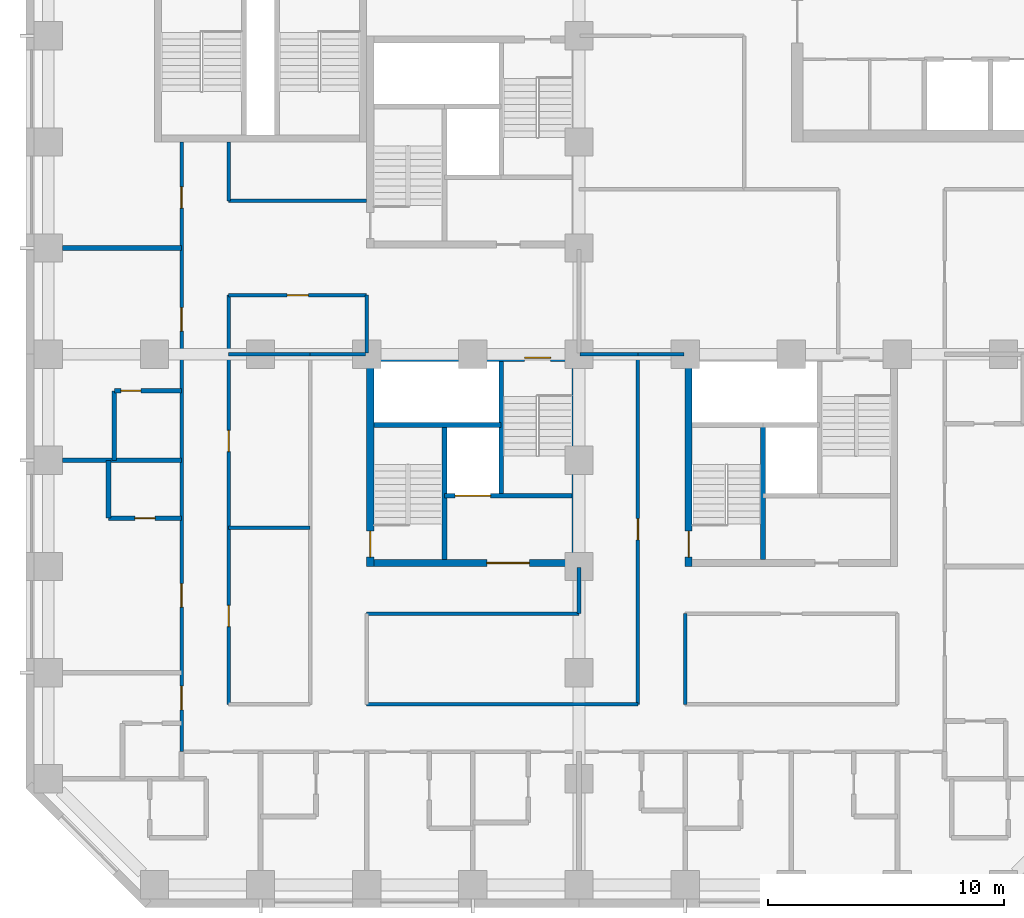
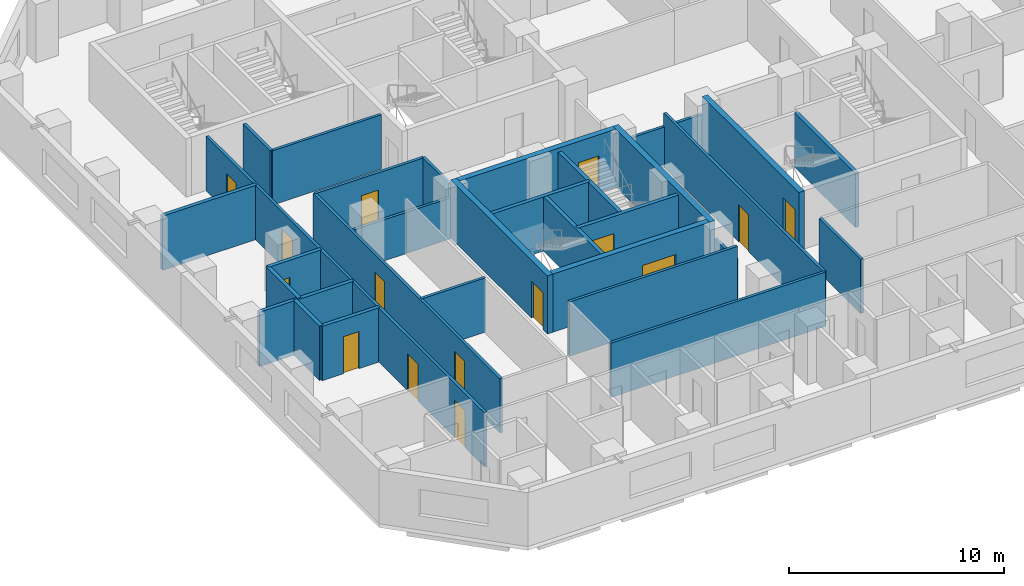
# One storey, part 4 of 13: 32 walls, 15 doors, 15 openings.
"""IFC4 building model written with IfcOpenShell, lengths in metres."""

from ifc_helpers import new_model, si_unit, direction, frame, frame_2d, origin, place, context, subcontext, project, spatial, rectangle, extrude, material, layer, layer_set, type_object, element, fill, save


model = new_model("IFC4")

# Units and contexts
model_context = context("Model", 3, precision=1e-05, world=origin(), true_north=direction((0.0, 1.0)))
body_context = subcontext(model_context, "Body", "Model", "MODEL_VIEW")
ifc_project = project(units=[si_unit("LENGTHUNIT", "METRE"), si_unit("AREAUNIT", "SQUARE_METRE"), si_unit("VOLUMEUNIT", "CUBIC_METRE"), si_unit("PLANEANGLEUNIT", "RADIAN"), si_unit("MASSUNIT", "GRAM", prefix="KILO")], contexts=[model_context])

# Site, building, storey
site_placement = place(None, origin())
site = spatial("IfcSite", under=ifc_project, at=site_placement, CompositionType="ELEMENT")
building_placement = place(site_placement, origin())
building = spatial("IfcBuilding", under=site, at=building_placement, Name="Quoin Convention Tower", CompositionType="ELEMENT")
storey_placement = place(building_placement, frame((0.0, 0.0, 49.5)))
storey = spatial("IfcBuildingStorey", under=building, at=storey_placement, Name="L12", CompositionType="ELEMENT", Elevation=49.5)

# Wall
ifc_material_1 = material(Name="Concrete C50", Category="concrete")
ifc_layer_1 = layer(ifc_material_1, 0.199951171875)
ifc_layer_set_1 = layer_set([ifc_layer_1], Name="Concrete C50")
wall_type_1 = type_object("IfcWallType", Name="Core shaft wall", PredefinedType="SOLIDWALL", material=ifc_layer_set_1)
wall_1_placement = place(storey_placement, frame((43.800048828125, 31.800048828125, 0.0), z_axis=(0.0, 0.0, 1.0), x_axis=(0.0, 1.0, 0.0)))
element("IfcWall", 1, at=wall_1_placement, inside=storey, type_object=wall_type_1, Name="cr-P3-L12-v3300_300", PredefinedType="SOLIDWALL", context=body_context, shape_type="SweptSolid", body=[
    extrude(rectangle(XDim=5.699951171875, YDim=0.199951171875, at=frame_2d((2.85009765625, 0.0))), origin(), (0.0, 0.0, 1.0), 3.080078125),
])

# Wall, opening, door
wall_2_placement = place(storey_placement, frame((30.300048828125, 34.5, 0.0), z_axis=(0.0, 0.0, 1.0), x_axis=(1.0, 0.0, 0.0)))
wall_2 = element("IfcWall", 2, at=wall_2_placement, inside=storey, type_object=wall_type_1, Name="cr-P4-L12-h3000_3300", PredefinedType="SOLIDWALL", context=body_context, shape_type="SweptSolid", body=[
    extrude(rectangle(XDim=5.39990234375, YDim=0.199951171875, at=frame_2d((2.699951171875, 0.0))), origin(), (0.0, 0.0, 1.0), 3.080078125),
])
opening_1_placement = place(wall_2_placement, frame((0.449951171875, 0.0, 0.0)))
opening_1 = element("IfcOpeningElement", 3, at=opening_1_placement, cuts=wall_2, Name="Opening LDGL1", PredefinedType="OPENING", context=body_context, shape_type="SweptSolid", body=[
    extrude(rectangle(XDim=1.5, YDim=2.10009765625, at=frame_2d((0.75, 1.050048828125))), frame((0.0, 0.10986328125, 0.0), z_axis=(0.0, -1.0, 0.0), x_axis=(1.0, 0.0, 0.0)), (0.0, 0.0, 1.0), 0.219970703125),
])
ifc_material_2 = material(Name="Steel door leaf", Category="steel")
door_type_1 = type_object("IfcDoorType", Name="Lift landing door 1500 x 2100", OperationType="DOUBLE_DOOR_SLIDING", PredefinedType="DOOR", material=ifc_material_2)
door_1_placement = place(opening_1_placement, origin())
door_1 = element("IfcDoor", 4, at=door_1_placement, inside=storey, type_object=door_type_1, Name="cd-P4-L12-CEN-R2-LDGL1", OperationType="DOUBLE_DOOR_SLIDING", OverallHeight=2.10009765625, OverallWidth=1.5, PredefinedType="DOOR", context=body_context, shape_type="SweptSolid", body=[
    extrude(rectangle(XDim=1.5, YDim=2.10009765625, at=frame_2d((0.75, 1.050048828125))), frame((0.0, 0.02490234375, 0.0), z_axis=(0.0, -1.0, 0.0), x_axis=(1.0, 0.0, 0.0)), (0.0, 0.0, 1.0), 0.050048828125),
])
fill(opening_1, door_1)

# Walls
wall_3_placement = place(storey_placement, frame((27.300048828125, 37.5, 0.0), z_axis=(0.0, 0.0, 1.0), x_axis=(1.0, 0.0, 0.0)))
element("IfcWall", 5, at=wall_3_placement, inside=storey, type_object=wall_type_1, Name="cr-P4-L12-h6000_300", PredefinedType="SOLIDWALL", context=body_context, shape_type="SweptSolid", body=[
    extrude(rectangle(XDim=5.39990234375, YDim=0.199951171875, at=frame_2d((2.699951171875, 0.0))), origin(), (0.0, 0.0, 1.0), 3.080078125),
])
for number, where, z_axis, x_axis, name in (
    (6, (30.300048828125, 31.800048828125, 0.0), (0.0, 0.0, 1.0), (0.0, 1.0, 0.0), "cr-P4-L12-v3300_300"),
    (7, (32.699951171875, 34.5, 0.0), (0.0, 0.0, 1.0), (0.0, 1.0, 0.0), "cr-P4-L12-v5700_3000"),
):
    element("IfcWall", number, at=place(storey_placement, frame(where, z_axis=z_axis, x_axis=x_axis)), inside=storey, type_object=wall_type_1, Name=name, PredefinedType="SOLIDWALL", context=body_context, shape_type="SweptSolid", body=[
        extrude(rectangle(XDim=5.699951171875, YDim=0.199951171875, at=frame_2d((2.85009765625, 0.0))), origin(), (0.0, 0.0, 1.0), 3.080078125),
    ])

# Wall, opening, door
ifc_material_3 = material(Name="Concrete C80", Category="concrete")
ifc_layer_2 = layer(ifc_material_3, 0.300048828125)
ifc_layer_set_2 = layer_set([ifc_layer_2], Name="Concrete C80")
wall_type_2 = type_object("IfcWallType", Name="RC CORE WALL 300 C80", PredefinedType="SHEAR", material=ifc_layer_set_2)
wall_4_placement = place(storey_placement, frame((40.64990234375, 31.5, 0.0), z_axis=(0.0, 0.0, 1.0), x_axis=(0.0, 1.0, 0.0)))
wall_4 = element("IfcWall", 8, at=wall_4_placement, inside=storey, type_object=wall_type_2, Name="cwl-P3-L12-W", PredefinedType="SHEAR", context=body_context, shape_type="SweptSolid", body=[
    extrude(rectangle(XDim=9.0, YDim=0.300048828125, at=frame_2d((4.5, 0.0))), origin(), (0.0, 0.0, 1.0), 3.300048828125),
])
opening_2_placement = place(wall_4_placement, frame((0.39990234375, 0.0, 0.0)))
opening_2 = element("IfcOpeningElement", 9, at=opening_2_placement, cuts=wall_4, Name="Opening SD5", PredefinedType="OPENING", context=body_context, shape_type="SweptSolid", body=[
    extrude(rectangle(XDim=1.10009765625, YDim=2.10009765625, at=frame_2d((0.550048828125, 1.050048828125))), frame((0.0, 0.159912109375, 0.0), z_axis=(0.0, -1.0, 0.0), x_axis=(1.0, 0.0, 0.0)), (0.0, 0.0, 1.0), 0.320068359375),
])
door_type_2 = type_object("IfcDoorType", Name="Stair door 1100 x 2100", OperationType="SINGLE_SWING_RIGHT", PredefinedType="DOOR", material=ifc_material_2)
door_2_placement = place(opening_2_placement, frame((1.10009765625, 0.0, 0.0), z_axis=(0.0, 0.0, 1.0), x_axis=(-1.0, 0.0, 0.0)))
door_2 = element("IfcDoor", 10, at=door_2_placement, inside=storey, type_object=door_type_2, Name="cd-P3-L12-SA-W", OperationType="SINGLE_SWING_RIGHT", OverallHeight=2.10009765625, OverallWidth=1.10009765625, PredefinedType="DOOR", context=body_context, shape_type="SweptSolid", body=[
    extrude(rectangle(XDim=1.10009765625, YDim=2.10009765625, at=frame_2d((0.550048828125, 1.050048828125))), frame((0.0, 0.02490234375, 0.0), z_axis=(0.0, -1.0, 0.0), x_axis=(1.0, 0.0, 0.0)), (0.0, 0.0, 1.0), 0.050048828125),
])
fill(opening_2, door_2)

wall_5_placement = place(storey_placement, frame((27.300048828125, 31.64990234375, 0.0), z_axis=(0.0, 0.0, 1.0), x_axis=(1.0, 0.0, 0.0)))
wall_5 = element("IfcWall", 11, at=wall_5_placement, inside=storey, type_object=wall_type_2, Name="cwl-P4-L12-S", PredefinedType="SHEAR", context=body_context, shape_type="SweptSolid", body=[
    extrude(rectangle(XDim=8.39990234375, YDim=0.300048828125, at=frame_2d((4.199951171875, 0.0))), origin(), (0.0, 0.0, 1.0), 3.300048828125),
])
opening_3_placement = place(wall_5_placement, frame((4.800048828125, 0.0, 0.0)))
opening_3 = element("IfcOpeningElement", 12, at=opening_3_placement, cuts=wall_5, Name="Opening DCV4-44", PredefinedType="OPENING", context=body_context, shape_type="SweptSolid", body=[
    extrude(rectangle(XDim=1.800048828125, YDim=2.10009765625, at=frame_2d((0.89990234375, 1.050048828125))), frame((0.0, 0.159912109375, 0.0), z_axis=(0.0, -1.0, 0.0), x_axis=(1.0, 0.0, 0.0)), (0.0, 0.0, 1.0), 0.320068359375),
])
door_type_3 = type_object("IfcDoorType", Name="Goods lobby door 1800 x 2100", OperationType="SINGLE_SWING_LEFT", PredefinedType="DOOR", material=ifc_material_2)
door_3_placement = place(opening_3_placement, origin())
door_3 = element("IfcDoor", 13, at=door_3_placement, inside=storey, type_object=door_type_3, Name="cd-P4-L12-R2-S", OperationType="SINGLE_SWING_LEFT", OverallHeight=2.10009765625, OverallWidth=1.800048828125, PredefinedType="DOOR", context=body_context, shape_type="SweptSolid", body=[
    extrude(rectangle(XDim=1.800048828125, YDim=2.10009765625, at=frame_2d((0.89990234375, 1.050048828125))), frame((0.0, 0.02490234375, 0.0), z_axis=(0.0, -1.0, 0.0), x_axis=(1.0, 0.0, 0.0)), (0.0, 0.0, 1.0), 0.050048828125),
])
fill(opening_3, door_3)

wall_6_placement = place(storey_placement, frame((27.300048828125, 40.35009765625, 0.0), z_axis=(0.0, 0.0, 1.0), x_axis=(1.0, 0.0, 0.0)))
wall_6 = element("IfcWall", 14, at=wall_6_placement, inside=storey, type_object=wall_type_2, Name="cwl-P4-L12-N", PredefinedType="SHEAR", context=body_context, shape_type="SweptSolid", body=[
    extrude(rectangle(XDim=8.39990234375, YDim=0.300048828125, at=frame_2d((4.199951171875, 0.0))), origin(), (0.0, 0.0, 1.0), 3.300048828125),
])
opening_4_placement = place(wall_6_placement, frame((6.39990234375, 0.0, 0.0)))
opening_4 = element("IfcOpeningElement", 15, at=opening_4_placement, cuts=wall_6, Name="Opening SD8", PredefinedType="OPENING", context=body_context, shape_type="SweptSolid", body=[
    extrude(rectangle(XDim=1.10009765625, YDim=2.10009765625, at=frame_2d((0.550048828125, 1.050048828125))), frame((0.0, 0.159912109375, 0.0), z_axis=(0.0, -1.0, 0.0), x_axis=(1.0, 0.0, 0.0)), (0.0, 0.0, 1.0), 0.320068359375),
])
door_4_placement = place(opening_4_placement, frame((1.10009765625, 0.0, 0.0), z_axis=(0.0, 0.0, 1.0), x_axis=(-1.0, 0.0, 0.0)))
door_4 = element("IfcDoor", 16, at=door_4_placement, inside=storey, type_object=door_type_2, Name="cd-P4-L12-SB-N", OperationType="SINGLE_SWING_LEFT", OverallHeight=2.10009765625, OverallWidth=1.10009765625, PredefinedType="DOOR", context=body_context, shape_type="SweptSolid", body=[
    extrude(rectangle(XDim=1.10009765625, YDim=2.10009765625, at=frame_2d((0.550048828125, 1.050048828125))), frame((0.0, 0.02490234375, 0.0), z_axis=(0.0, -1.0, 0.0), x_axis=(1.0, 0.0, 0.0)), (0.0, 0.0, 1.0), 0.050048828125),
])
fill(opening_4, door_4)

wall_7_placement = place(storey_placement, frame((27.14990234375, 31.5, 0.0), z_axis=(0.0, 0.0, 1.0), x_axis=(0.0, 1.0, 0.0)))
wall_7 = element("IfcWall", 17, at=wall_7_placement, inside=storey, type_object=wall_type_2, Name="cwl-P4-L12-W", PredefinedType="SHEAR", context=body_context, shape_type="SweptSolid", body=[
    extrude(rectangle(XDim=9.0, YDim=0.300048828125, at=frame_2d((4.5, 0.0))), origin(), (0.0, 0.0, 1.0), 3.300048828125),
])
opening_5_placement = place(wall_7_placement, frame((0.39990234375, 0.0, 0.0)))
opening_5 = element("IfcOpeningElement", 18, at=opening_5_placement, cuts=wall_7, Name="Opening SD7", PredefinedType="OPENING", context=body_context, shape_type="SweptSolid", body=[
    extrude(rectangle(XDim=1.10009765625, YDim=2.10009765625, at=frame_2d((0.550048828125, 1.050048828125))), frame((0.0, 0.159912109375, 0.0), z_axis=(0.0, -1.0, 0.0), x_axis=(1.0, 0.0, 0.0)), (0.0, 0.0, 1.0), 0.320068359375),
])
door_5_placement = place(opening_5_placement, frame((1.10009765625, 0.0, 0.0), z_axis=(0.0, 0.0, 1.0), x_axis=(-1.0, 0.0, 0.0)))
door_5 = element("IfcDoor", 19, at=door_5_placement, inside=storey, type_object=door_type_2, Name="cd-P4-L12-SA-W", OperationType="SINGLE_SWING_RIGHT", OverallHeight=2.10009765625, OverallWidth=1.10009765625, PredefinedType="DOOR", context=body_context, shape_type="SweptSolid", body=[
    extrude(rectangle(XDim=1.10009765625, YDim=2.10009765625, at=frame_2d((0.550048828125, 1.050048828125))), frame((0.0, 0.02490234375, 0.0), z_axis=(0.0, -1.0, 0.0), x_axis=(1.0, 0.0, 0.0)), (0.0, 0.0, 1.0), 0.050048828125),
])
fill(opening_5, door_5)

# Wall
wall_8_placement = place(storey_placement, frame((35.85009765625, 31.5, 0.0), z_axis=(0.0, 0.0, 1.0), x_axis=(0.0, 1.0, 0.0)))
element("IfcWall", 20, at=wall_8_placement, inside=storey, type_object=wall_type_2, Name="cwl-P4-L12-E", PredefinedType="SHEAR", context=body_context, shape_type="SweptSolid", body=[
    extrude(rectangle(XDim=9.0, YDim=0.300048828125, at=frame_2d((4.5, 0.0))), origin(), (0.0, 0.0, 1.0), 3.300048828125),
])

# Wall, opening, door
ifc_layer_3 = layer(ifc_material_1, 0.199951171875)
ifc_layer_set_3 = layer_set([ifc_layer_3], Name="Concrete C50")
wall_type_3 = type_object("IfcWallType", Name="RC party wall", PredefinedType="SOLIDWALL", material=ifc_layer_set_3)
wall_9_placement = place(storey_placement, frame((16.050048828125, 33.550048828125, 0.0), z_axis=(0.0, 0.0, 1.0), x_axis=(1.0, 0.0, 0.0)))
wall_9 = element("IfcWall", 21, at=wall_9_placement, inside=storey, type_object=wall_type_3, Name="pw-L12-072", PredefinedType="SOLIDWALL", context=body_context, shape_type="SweptSolid", body=[
    extrude(rectangle(XDim=3.099853515625, YDim=0.199951171875, at=frame_2d((1.5498046875, 0.0))), origin(), (0.0, 0.0, 1.0), 3.080078125),
])
opening_6_placement = place(wall_9_placement, frame((1.125, 0.0, 0.0)))
opening_6 = element("IfcOpeningElement", 22, at=opening_6_placement, cuts=wall_9, Name="Opening DHOTEL-A-49", PredefinedType="OPENING", context=body_context, shape_type="SweptSolid", body=[
    extrude(rectangle(XDim=0.85009765625, YDim=2.10009765625, at=frame_2d((0.425048828125, 1.050048828125))), frame((0.0, 0.10986328125, 0.0), z_axis=(0.0, -1.0, 0.0), x_axis=(1.0, 0.0, 0.0)), (0.0, 0.0, 1.0), 0.219970703125),
])
door_type_4 = type_object("IfcDoorType", Name="Bathroom door", OperationType="SINGLE_SWING_LEFT", PredefinedType="DOOR", material=ifc_material_2)
door_6_placement = place(opening_6_placement, frame((0.85009765625, 0.0, 0.0), z_axis=(0.0, 0.0, 1.0), x_axis=(-1.0, 0.0, 0.0)))
door_6 = element("IfcDoor", 23, at=door_6_placement, inside=storey, type_object=door_type_4, Name="dr-L12-016", OperationType="SINGLE_SWING_LEFT", OverallHeight=2.10009765625, OverallWidth=0.85009765625, PredefinedType="DOOR", context=body_context, shape_type="SweptSolid", body=[
    extrude(rectangle(XDim=0.85009765625, YDim=2.10009765625, at=frame_2d((0.425048828125, 1.050048828125))), frame((0.0, 0.02490234375, 0.0), z_axis=(0.0, -1.0, 0.0), x_axis=(1.0, 0.0, 0.0)), (0.0, 0.0, 1.0), 0.050048828125),
])
fill(opening_6, door_6)

# Walls
wall_10_placement = place(storey_placement, frame((16.050048828125, 33.550048828125, 0.0), z_axis=(0.0, 0.0, 1.0), x_axis=(0.0, 1.0, 0.0)))
element("IfcWall", 24, at=wall_10_placement, inside=storey, type_object=wall_type_3, Name="pw-L12-073", PredefinedType="SOLIDWALL", context=body_context, shape_type="SweptSolid", body=[
    extrude(rectangle(XDim=2.449951171875, YDim=0.199951171875, at=frame_2d((1.22509765625, 0.0))), origin(), (0.0, 0.0, 1.0), 3.080078125),
])
wall_11_placement = place(storey_placement, frame((14.10009765625, 36.0, 0.0), z_axis=(0.0, 0.0, 1.0), x_axis=(1.0, 0.0, 0.0)))
element("IfcWall", 25, at=wall_11_placement, inside=storey, type_object=wall_type_3, Name="pw-L12-074", PredefinedType="SOLIDWALL", context=body_context, shape_type="SweptSolid", body=[
    extrude(rectangle(XDim=5.0498046875, YDim=0.199951171875, at=frame_2d((2.52490234375, 0.0))), origin(), (0.0, 0.0, 1.0), 3.080078125),
])
wall_12_placement = place(storey_placement, frame((16.300048828125, 36.0, 0.0), z_axis=(0.0, 0.0, 1.0), x_axis=(0.0, 1.0, 0.0)))
element("IfcWall", 26, at=wall_12_placement, inside=storey, type_object=wall_type_3, Name="pw-L12-075", PredefinedType="SOLIDWALL", context=body_context, shape_type="SweptSolid", body=[
    extrude(rectangle(XDim=2.949951171875, YDim=0.199951171875, at=frame_2d((1.47509765625, 0.0))), origin(), (0.0, 0.0, 1.0), 3.080078125),
])

# Wall, opening, door
wall_13_placement = place(storey_placement, frame((16.300048828125, 38.949951171875, 0.0), z_axis=(0.0, 0.0, 1.0), x_axis=(1.0, 0.0, 0.0)))
wall_13 = element("IfcWall", 27, at=wall_13_placement, inside=storey, type_object=wall_type_3, Name="pw-L12-078", PredefinedType="SOLIDWALL", context=body_context, shape_type="SweptSolid", body=[
    extrude(rectangle(XDim=2.849853515625, YDim=0.199951171875, at=frame_2d((1.4248046875, 0.0))), origin(), (0.0, 0.0, 1.0), 3.080078125),
])
opening_7_placement = place(wall_13_placement, frame((0.27490234375, 0.0, 0.0)))
opening_7 = element("IfcOpeningElement", 28, at=opening_7_placement, cuts=wall_13, Name="Opening DHOTEL-A-51", PredefinedType="OPENING", context=body_context, shape_type="SweptSolid", body=[
    extrude(rectangle(XDim=0.85009765625, YDim=2.10009765625, at=frame_2d((0.425048828125, 1.050048828125))), frame((0.0, 0.10986328125, 0.0), z_axis=(0.0, -1.0, 0.0), x_axis=(1.0, 0.0, 0.0)), (0.0, 0.0, 1.0), 0.219970703125),
])
door_7_placement = place(opening_7_placement, origin())
door_7 = element("IfcDoor", 29, at=door_7_placement, inside=storey, type_object=door_type_4, Name="dr-L12-018", OperationType="SINGLE_SWING_LEFT", OverallHeight=2.10009765625, OverallWidth=0.85009765625, PredefinedType="DOOR", context=body_context, shape_type="SweptSolid", body=[
    extrude(rectangle(XDim=0.85009765625, YDim=2.10009765625, at=frame_2d((0.425048828125, 1.050048828125))), frame((0.0, 0.02490234375, 0.0), z_axis=(0.0, -1.0, 0.0), x_axis=(1.0, 0.0, 0.0)), (0.0, 0.0, 1.0), 0.050048828125),
])
fill(opening_7, door_7)

# Wall
wall_14_placement = place(storey_placement, frame((14.10009765625, 45.0, 0.0), z_axis=(0.0, 0.0, 1.0), x_axis=(1.0, 0.0, 0.0)))
element("IfcWall", 30, at=wall_14_placement, inside=storey, type_object=wall_type_3, Name="pw-L12-088", PredefinedType="SOLIDWALL", context=body_context, shape_type="SweptSolid", body=[
    extrude(rectangle(XDim=5.0498046875, YDim=0.199951171875, at=frame_2d((2.52490234375, 0.0))), origin(), (0.0, 0.0, 1.0), 3.080078125),
])

# Wall, openings, doors
ifc_material_4 = material(Name="Plasterboard")
ifc_layer_4 = layer(ifc_material_4, 0.012451171875, Name="Finish")
ifc_material_5 = material(Name="Steel stud framing", Category="steel")
ifc_layer_5 = layer(ifc_material_5, 0.125, Name="Structure")
ifc_layer_6 = layer(ifc_material_4, 0.012451171875, Name="Finish")
ifc_layer_set_4 = layer_set([ifc_layer_4, ifc_layer_5, ifc_layer_6], Name="Steel stud framing")
wall_type_4 = type_object("IfcWallType", Name="corridor partition", PredefinedType="PARTITIONING", material=ifc_layer_set_4)
wall_15_placement = place(storey_placement, frame((19.14990234375, 23.64990234375, 0.0), z_axis=(0.0, 0.0, 1.0), x_axis=(0.0, 1.0, 0.0)))
wall_15 = element("IfcWall", 31, at=wall_15_placement, inside=storey, type_object=wall_type_4, Name="pw-L12-006", PredefinedType="PARTITIONING", context=body_context, shape_type="SweptSolid", body=[
    extrude(rectangle(XDim=25.85009765625, YDim=0.14990234375, at=frame_2d((12.925048828125, 0.0))), origin(), (0.0, 0.0, 1.0), 3.080078125),
])
opening_8_placement = place(wall_15_placement, frame((1.77490234375, 0.0, 0.0)))
opening_8 = element("IfcOpeningElement", 32, at=opening_8_placement, cuts=wall_15, Name="Opening DHOTEL-A-09", PredefinedType="OPENING", context=body_context, shape_type="SweptSolid", body=[
    extrude(rectangle(XDim=1.0, YDim=2.10009765625, at=frame_2d((0.5, 1.050048828125))), frame((0.0, 0.0849609375, 0.0), z_axis=(0.0, -1.0, 0.0), x_axis=(1.0, 0.0, 0.0)), (0.0, 0.0, 1.0), 0.169921875),
])
opening_9_placement = place(wall_15_placement, frame((6.125, 0.0, 0.0)))
opening_9 = element("IfcOpeningElement", 33, at=opening_9_placement, cuts=wall_15, Name="Opening DHOTEL-A-10", PredefinedType="OPENING", context=body_context, shape_type="SweptSolid", body=[
    extrude(rectangle(XDim=1.0, YDim=2.10009765625, at=frame_2d((0.5, 1.050048828125))), frame((0.0, 0.0849609375, 0.0), z_axis=(0.0, -1.0, 0.0), x_axis=(1.0, 0.0, 0.0)), (0.0, 0.0, 1.0), 0.169921875),
])
opening_10_placement = place(wall_15_placement, frame((17.824951171875, 0.0, 0.0)))
opening_10 = element("IfcOpeningElement", 34, at=opening_10_placement, cuts=wall_15, Name="Opening DHOTEL-A-11", PredefinedType="OPENING", context=body_context, shape_type="SweptSolid", body=[
    extrude(rectangle(XDim=1.0, YDim=2.10009765625, at=frame_2d((0.5, 1.050048828125))), frame((0.0, 0.0849609375, 0.0), z_axis=(0.0, -1.0, 0.0), x_axis=(1.0, 0.0, 0.0)), (0.0, 0.0, 1.0), 0.169921875),
])
opening_11_placement = place(wall_15_placement, frame((23.0400390625, 0.0, 0.0)))
opening_11 = element("IfcOpeningElement", 35, at=opening_11_placement, cuts=wall_15, Name="Opening DHOTEL-A-12", PredefinedType="OPENING", context=body_context, shape_type="SweptSolid", body=[
    extrude(rectangle(XDim=0.89990234375, YDim=2.10009765625, at=frame_2d((0.449951171875, 1.050048828125))), frame((0.0, 0.0849609375, 0.0), z_axis=(0.0, -1.0, 0.0), x_axis=(1.0, 0.0, 0.0)), (0.0, 0.0, 1.0), 0.169921875),
])
door_type_5 = type_object("IfcDoorType", Name="Hotel room door", OperationType="SINGLE_SWING_LEFT", PredefinedType="DOOR", material=ifc_material_2)
door_8_placement = place(opening_8_placement, origin())
door_8 = element("IfcDoor", 36, at=door_8_placement, inside=storey, type_object=door_type_5, Name="dr-L12-013", OperationType="SINGLE_SWING_RIGHT", OverallHeight=2.10009765625, OverallWidth=1.0, PredefinedType="DOOR", context=body_context, shape_type="SweptSolid", body=[
    extrude(rectangle(XDim=1.0, YDim=2.10009765625, at=frame_2d((0.5, 1.050048828125))), frame((0.0, 0.02490234375, 0.0), z_axis=(0.0, -1.0, 0.0), x_axis=(1.0, 0.0, 0.0)), (0.0, 0.0, 1.0), 0.050048828125),
])
fill(opening_8, door_8)
door_9_placement = place(opening_9_placement, origin())
door_9 = element("IfcDoor", 37, at=door_9_placement, inside=storey, type_object=door_type_5, Name="dr-L12-015", OperationType="SINGLE_SWING_RIGHT", OverallHeight=2.10009765625, OverallWidth=1.0, PredefinedType="DOOR", context=body_context, shape_type="SweptSolid", body=[
    extrude(rectangle(XDim=1.0, YDim=2.10009765625, at=frame_2d((0.5, 1.050048828125))), frame((0.0, 0.02490234375, 0.0), z_axis=(0.0, -1.0, 0.0), x_axis=(1.0, 0.0, 0.0)), (0.0, 0.0, 1.0), 0.050048828125),
])
fill(opening_9, door_9)
door_10_placement = place(opening_10_placement, origin())
door_10 = element("IfcDoor", 38, at=door_10_placement, inside=storey, type_object=door_type_5, Name="dr-L12-017", OperationType="SINGLE_SWING_RIGHT", OverallHeight=2.10009765625, OverallWidth=1.0, PredefinedType="DOOR", context=body_context, shape_type="SweptSolid", body=[
    extrude(rectangle(XDim=1.0, YDim=2.10009765625, at=frame_2d((0.5, 1.050048828125))), frame((0.0, 0.02490234375, 0.0), z_axis=(0.0, -1.0, 0.0), x_axis=(1.0, 0.0, 0.0)), (0.0, 0.0, 1.0), 0.050048828125),
])
fill(opening_10, door_10)
door_type_6 = type_object("IfcDoorType", Name="Single room door", OperationType="SINGLE_SWING_RIGHT", PredefinedType="DOOR", material=ifc_material_2)
door_11_placement = place(opening_11_placement, origin())
door_11 = element("IfcDoor", 39, at=door_11_placement, inside=storey, type_object=door_type_6, Name="dr-L12-w01", OperationType="SINGLE_SWING_LEFT", OverallHeight=2.10009765625, OverallWidth=0.89990234375, PredefinedType="DOOR", context=body_context, shape_type="SweptSolid", body=[
    extrude(rectangle(XDim=0.89990234375, YDim=2.10009765625, at=frame_2d((0.449951171875, 1.050048828125))), frame((0.0, 0.02490234375, 0.0), z_axis=(0.0, -1.0, 0.0), x_axis=(1.0, 0.0, 0.0)), (0.0, 0.0, 1.0), 0.050048828125),
])
fill(opening_11, door_11)

wall_16_placement = place(storey_placement, frame((21.14990234375, 25.64990234375, 0.0), z_axis=(0.0, 0.0, 1.0), x_axis=(0.0, 1.0, 0.0)))
wall_16 = element("IfcWall", 40, at=wall_16_placement, inside=storey, type_object=wall_type_4, Name="pw-L12-009", PredefinedType="PARTITIONING", context=body_context, shape_type="SweptSolid", body=[
    extrude(rectangle(XDim=17.35009765625, YDim=0.14990234375, at=frame_2d((8.675048828125, 0.0))), origin(), (0.0, 0.0, 1.0), 3.080078125),
])
opening_12_placement = place(wall_16_placement, frame((3.300048828125, 0.0, 0.0)))
opening_12 = element("IfcOpeningElement", 41, at=opening_12_placement, cuts=wall_16, Name="Opening DHOTEL-A-16", PredefinedType="OPENING", context=body_context, shape_type="SweptSolid", body=[
    extrude(rectangle(XDim=0.89990234375, YDim=2.10009765625, at=frame_2d((0.449951171875, 1.050048828125))), frame((0.0, 0.0849609375, 0.0), z_axis=(0.0, -1.0, 0.0), x_axis=(1.0, 0.0, 0.0)), (0.0, 0.0, 1.0), 0.169921875),
])
opening_13_placement = place(wall_16_placement, frame((10.72509765625, 0.0, 0.0)))
opening_13 = element("IfcOpeningElement", 42, at=opening_13_placement, cuts=wall_16, Name="Opening DHOTEL-A-17", PredefinedType="OPENING", context=body_context, shape_type="SweptSolid", body=[
    extrude(rectangle(XDim=0.89990234375, YDim=2.10009765625, at=frame_2d((0.449951171875, 1.050048828125))), frame((0.0, 0.0849609375, 0.0), z_axis=(0.0, -1.0, 0.0), x_axis=(1.0, 0.0, 0.0)), (0.0, 0.0, 1.0), 0.169921875),
])
door_type_7 = type_object("IfcDoorType", Name="Service room door", OperationType="SINGLE_SWING_LEFT", PredefinedType="DOOR", material=ifc_material_2)
door_12_placement = place(opening_12_placement, frame((0.89990234375, 0.0, 0.0), z_axis=(0.0, 0.0, 1.0), x_axis=(-1.0, 0.0, 0.0)))
door_12 = element("IfcDoor", 43, at=door_12_placement, inside=storey, type_object=door_type_7, Name="dr-L12-066", OperationType="SINGLE_SWING_LEFT", OverallHeight=2.10009765625, OverallWidth=0.89990234375, PredefinedType="DOOR", context=body_context, shape_type="SweptSolid", body=[
    extrude(rectangle(XDim=0.89990234375, YDim=2.10009765625, at=frame_2d((0.449951171875, 1.050048828125))), frame((0.0, 0.02490234375, 0.0), z_axis=(0.0, -1.0, 0.0), x_axis=(1.0, 0.0, 0.0)), (0.0, 0.0, 1.0), 0.050048828125),
])
fill(opening_12, door_12)
door_13_placement = place(opening_13_placement, frame((0.89990234375, 0.0, 0.0), z_axis=(0.0, 0.0, 1.0), x_axis=(-1.0, 0.0, 0.0)))
door_13 = element("IfcDoor", 44, at=door_13_placement, inside=storey, type_object=door_type_7, Name="dr-L12-067", OperationType="SINGLE_SWING_LEFT", OverallHeight=2.10009765625, OverallWidth=0.89990234375, PredefinedType="DOOR", context=body_context, shape_type="SweptSolid", body=[
    extrude(rectangle(XDim=0.89990234375, YDim=2.10009765625, at=frame_2d((0.449951171875, 1.050048828125))), frame((0.0, 0.02490234375, 0.0), z_axis=(0.0, -1.0, 0.0), x_axis=(1.0, 0.0, 0.0)), (0.0, 0.0, 1.0), 0.050048828125),
])
fill(opening_13, door_13)

# Wall
wall_17_placement = place(storey_placement, frame((27.0, 25.64990234375, 0.0), z_axis=(0.0, 0.0, 1.0), x_axis=(1.0, 0.0, 0.0)))
element("IfcWall", 45, at=wall_17_placement, inside=storey, type_object=wall_type_4, Name="pw-L12-011", PredefinedType="PARTITIONING", context=body_context, shape_type="SweptSolid", body=[
    extrude(rectangle(XDim=11.5, YDim=0.14990234375, at=frame_2d((5.75, 0.0))), origin(), (0.0, 0.0, 1.0), 3.080078125),
])

# Wall, opening, door
wall_18_placement = place(storey_placement, frame((38.5, 25.64990234375, 0.0), z_axis=(0.0, 0.0, 1.0), x_axis=(0.0, 1.0, 0.0)))
wall_18 = element("IfcWall", 46, at=wall_18_placement, inside=storey, type_object=wall_type_4, Name="pw-L12-013", PredefinedType="PARTITIONING", context=body_context, shape_type="SweptSolid", body=[
    extrude(rectangle(XDim=14.85009765625, YDim=0.14990234375, at=frame_2d((7.425048828125, 0.0))), origin(), (0.0, 0.0, 1.0), 3.080078125),
])
opening_14_placement = place(wall_18_placement, frame((6.97509765625, 0.0, 0.0)))
opening_14 = element("IfcOpeningElement", 47, at=opening_14_placement, cuts=wall_18, Name="Opening DHOTEL-A-18", PredefinedType="OPENING", context=body_context, shape_type="SweptSolid", body=[
    extrude(rectangle(XDim=0.89990234375, YDim=2.10009765625, at=frame_2d((0.449951171875, 1.050048828125))), frame((0.0, 0.0849609375, 0.0), z_axis=(0.0, -1.0, 0.0), x_axis=(1.0, 0.0, 0.0)), (0.0, 0.0, 1.0), 0.169921875),
])
door_14_placement = place(opening_14_placement, origin())
door_14 = element("IfcDoor", 48, at=door_14_placement, inside=storey, type_object=door_type_6, Name="dr-L12-065", OperationType="SINGLE_SWING_RIGHT", OverallHeight=2.10009765625, OverallWidth=0.89990234375, PredefinedType="DOOR", context=body_context, shape_type="SweptSolid", body=[
    extrude(rectangle(XDim=0.89990234375, YDim=2.10009765625, at=frame_2d((0.449951171875, 1.050048828125))), frame((0.0, 0.02490234375, 0.0), z_axis=(0.0, -1.0, 0.0), x_axis=(1.0, 0.0, 0.0)), (0.0, 0.0, 1.0), 0.050048828125),
])
fill(opening_14, door_14)

# Walls
wall_19_placement = place(storey_placement, frame((40.5, 25.64990234375, 0.0), z_axis=(0.0, 0.0, 1.0), x_axis=(0.0, 1.0, 0.0)))
element("IfcWall", 49, at=wall_19_placement, inside=storey, type_object=wall_type_4, Name="pw-L12-015", PredefinedType="PARTITIONING", context=body_context, shape_type="SweptSolid", body=[
    extrude(rectangle(XDim=3.85009765625, YDim=0.14990234375, at=frame_2d((1.925048828125, 0.0))), origin(), (0.0, 0.0, 1.0), 3.080078125),
])
wall_20_placement = place(storey_placement, frame((27.0, 29.5, 0.0), z_axis=(0.0, 0.0, 1.0), x_axis=(1.0, 0.0, 0.0)))
element("IfcWall", 50, at=wall_20_placement, inside=storey, type_object=wall_type_4, Name="pw-L12-017", PredefinedType="PARTITIONING", context=body_context, shape_type="SweptSolid", body=[
    extrude(rectangle(XDim=9.0, YDim=0.14990234375, at=frame_2d((4.5, 0.0))), origin(), (0.0, 0.0, 1.0), 3.080078125),
])
wall_21_placement = place(storey_placement, frame((27.0, 40.550048828125, 0.0), z_axis=(0.0, 0.0, 1.0), x_axis=(0.0, 1.0, 0.0)))
element("IfcWall", 51, at=wall_21_placement, inside=storey, type_object=wall_type_4, Name="pw-L12-022", PredefinedType="PARTITIONING", context=body_context, shape_type="SweptSolid", body=[
    extrude(rectangle(XDim=2.449951171875, YDim=0.14990234375, at=frame_2d((1.22509765625, 0.0))), origin(), (0.0, 0.0, 1.0), 3.080078125),
])

# Wall, opening, door
wall_22_placement = place(storey_placement, frame((21.14990234375, 43.0, 0.0), z_axis=(0.0, 0.0, 1.0), x_axis=(1.0, 0.0, 0.0)))
wall_22 = element("IfcWall", 52, at=wall_22_placement, inside=storey, type_object=wall_type_4, Name="pw-L12-025", PredefinedType="PARTITIONING", context=body_context, shape_type="SweptSolid", body=[
    extrude(rectangle(XDim=5.85009765625, YDim=0.14990234375, at=frame_2d((2.925048828125, 0.0))), origin(), (0.0, 0.0, 1.0), 3.080078125),
])
opening_15_placement = place(wall_22_placement, frame((2.47509765625, 0.0, 0.0)))
opening_15 = element("IfcOpeningElement", 53, at=opening_15_placement, cuts=wall_22, Name="Opening DHOTEL-A-21", PredefinedType="OPENING", context=body_context, shape_type="SweptSolid", body=[
    extrude(rectangle(XDim=0.89990234375, YDim=2.10009765625, at=frame_2d((0.449951171875, 1.050048828125))), frame((0.0, 0.0849609375, 0.0), z_axis=(0.0, -1.0, 0.0), x_axis=(1.0, 0.0, 0.0)), (0.0, 0.0, 1.0), 0.169921875),
])
door_type_8 = type_object("IfcDoorType", Name="Toilet door", OperationType="SINGLE_SWING_LEFT", PredefinedType="DOOR", material=ifc_material_2)
door_15_placement = place(opening_15_placement, frame((0.89990234375, 0.0, 0.0), z_axis=(0.0, 0.0, 1.0), x_axis=(-1.0, 0.0, 0.0)))
door_15 = element("IfcDoor", 54, at=door_15_placement, inside=storey, type_object=door_type_8, Name="dr-L12-070", OperationType="SINGLE_SWING_LEFT", OverallHeight=2.10009765625, OverallWidth=0.89990234375, PredefinedType="DOOR", context=body_context, shape_type="SweptSolid", body=[
    extrude(rectangle(XDim=0.89990234375, YDim=2.10009765625, at=frame_2d((0.449951171875, 1.050048828125))), frame((0.0, 0.02490234375, 0.0), z_axis=(0.0, -1.0, 0.0), x_axis=(1.0, 0.0, 0.0)), (0.0, 0.0, 1.0), 0.050048828125),
])
fill(opening_15, door_15)

# Walls
wall_23_placement = place(storey_placement, frame((21.14990234375, 47.0, 0.0), z_axis=(0.0, 0.0, 1.0), x_axis=(1.0, 0.0, 0.0)))
element("IfcWall", 55, at=wall_23_placement, inside=storey, type_object=wall_type_4, Name="pw-L12-026", PredefinedType="PARTITIONING", context=body_context, shape_type="SweptSolid", body=[
    extrude(rectangle(XDim=5.85009765625, YDim=0.14990234375, at=frame_2d((2.925048828125, 0.0))), origin(), (0.0, 0.0, 1.0), 3.080078125),
])
wall_24_placement = place(storey_placement, frame((21.14990234375, 47.0, 0.0), z_axis=(0.0, 0.0, 1.0), x_axis=(0.0, 1.0, 0.0)))
element("IfcWall", 56, at=wall_24_placement, inside=storey, type_object=wall_type_4, Name="pw-L12-027", PredefinedType="PARTITIONING", context=body_context, shape_type="SweptSolid", body=[
    extrude(rectangle(XDim=2.5, YDim=0.14990234375, at=frame_2d((1.25, 0.0))), origin(), (0.0, 0.0, 1.0), 3.080078125),
])
ifc_layer_7 = layer(ifc_material_4, 0.012451171875, Name="Finish")
ifc_layer_8 = layer(ifc_material_5, 0.125, Name="Structure")
ifc_layer_9 = layer(ifc_material_4, 0.012451171875, Name="Finish")
ifc_layer_set_5 = layer_set([ifc_layer_7, ifc_layer_8, ifc_layer_9], Name="Steel stud framing")
wall_type_5 = type_object("IfcWallType", Name="corridor partition under beam 750", PredefinedType="PARTITIONING", material=ifc_layer_set_5)
wall_25_placement = place(storey_placement, frame((36.0, 29.5, 0.0), z_axis=(0.0, 0.0, 1.0), x_axis=(0.0, 1.0, 0.0)))
element("IfcWall", 57, at=wall_25_placement, inside=storey, type_object=wall_type_5, Name="pw-L12-018", PredefinedType="PARTITIONING", context=body_context, shape_type="SweptSolid", body=[
    extrude(rectangle(XDim=1.949951171875, YDim=0.14990234375, at=frame_2d((0.97509765625, 0.0))), origin(), (0.0, 0.0, 1.0), 2.330078125),
])
wall_26_placement = place(storey_placement, frame((24.60009765625, 40.5, 0.0), z_axis=(0.0, 0.0, 1.0), x_axis=(1.0, 0.0, 0.0)))
element("IfcWall", 58, at=wall_26_placement, inside=storey, type_object=wall_type_5, Name="pw-L12-020", PredefinedType="PARTITIONING", context=body_context, shape_type="SweptSolid", body=[
    extrude(rectangle(XDim=2.349853515625, YDim=0.14990234375, at=frame_2d((1.1748046875, 0.0))), origin(), (0.0, 0.0, 1.0), 2.330078125),
])
wall_27_placement = place(storey_placement, frame((38.5, 40.5, 0.0), z_axis=(0.0, 0.0, 1.0), x_axis=(1.0, 0.0, 0.0)))
element("IfcWall", 59, at=wall_27_placement, inside=storey, type_object=wall_type_5, Name="pw-L12-021", PredefinedType="PARTITIONING", context=body_context, shape_type="SweptSolid", body=[
    extrude(rectangle(XDim=1.949951171875, YDim=0.14990234375, at=frame_2d((0.97509765625, 0.0))), origin(), (0.0, 0.0, 1.0), 2.330078125),
])
ifc_layer_10 = layer(ifc_material_4, 0.012451171875, Name="Finish")
ifc_layer_11 = layer(ifc_material_5, 0.125, Name="Structure")
ifc_layer_12 = layer(ifc_material_4, 0.012451171875, Name="Finish")
ifc_layer_set_6 = layer_set([ifc_layer_10, ifc_layer_11, ifc_layer_12], Name="Steel stud framing")
wall_type_6 = type_object("IfcWallType", Name="room partition", PredefinedType="PARTITIONING", material=ifc_layer_set_6)
wall_28_placement = place(storey_placement, frame((21.14990234375, 33.14990234375, 0.0), z_axis=(0.0, 0.0, 1.0), x_axis=(1.0, 0.0, 0.0)))
element("IfcWall", 60, at=wall_28_placement, inside=storey, type_object=wall_type_6, Name="pw-L12-147", PredefinedType="PARTITIONING", context=body_context, shape_type="SweptSolid", body=[
    extrude(rectangle(XDim=3.4501953125, YDim=0.14990234375, at=frame_2d((1.72509765625, 0.0))), origin(), (0.0, 0.0, 1.0), 3.080078125),
])
ifc_layer_13 = layer(ifc_material_4, 0.012451171875, Name="Finish")
ifc_layer_14 = layer(ifc_material_5, 0.125, Name="Structure")
ifc_layer_15 = layer(ifc_material_4, 0.012451171875, Name="Finish")
ifc_layer_set_7 = layer_set([ifc_layer_13, ifc_layer_14, ifc_layer_15], Name="Steel stud framing")
wall_type_7 = type_object("IfcWallType", Name="room partition under beam 750", PredefinedType="PARTITIONING", material=ifc_layer_set_7)
wall_29_placement = place(storey_placement, frame((21.14990234375, 40.5, 0.0), z_axis=(0.0, 0.0, 1.0), x_axis=(1.0, 0.0, 0.0)))
element("IfcWall", 61, at=wall_29_placement, inside=storey, type_object=wall_type_7, Name="pw-L12-148", PredefinedType="PARTITIONING", context=body_context, shape_type="SweptSolid", body=[
    extrude(rectangle(XDim=3.4501953125, YDim=0.14990234375, at=frame_2d((1.72509765625, 0.0))), origin(), (0.0, 0.0, 1.0), 2.330078125),
])
wall_30_placement = place(storey_placement, frame((36.050048828125, 40.5, 0.0), z_axis=(0.0, 0.0, 1.0), x_axis=(1.0, 0.0, 0.0)))
element("IfcWall", 62, at=wall_30_placement, inside=storey, type_object=wall_type_7, Name="pw-L12-149", PredefinedType="PARTITIONING", context=body_context, shape_type="SweptSolid", body=[
    extrude(rectangle(XDim=2.449951171875, YDim=0.14990234375, at=frame_2d((1.22509765625, 0.0))), origin(), (0.0, 0.0, 1.0), 2.330078125),
])

save(model, "model.ifc")
